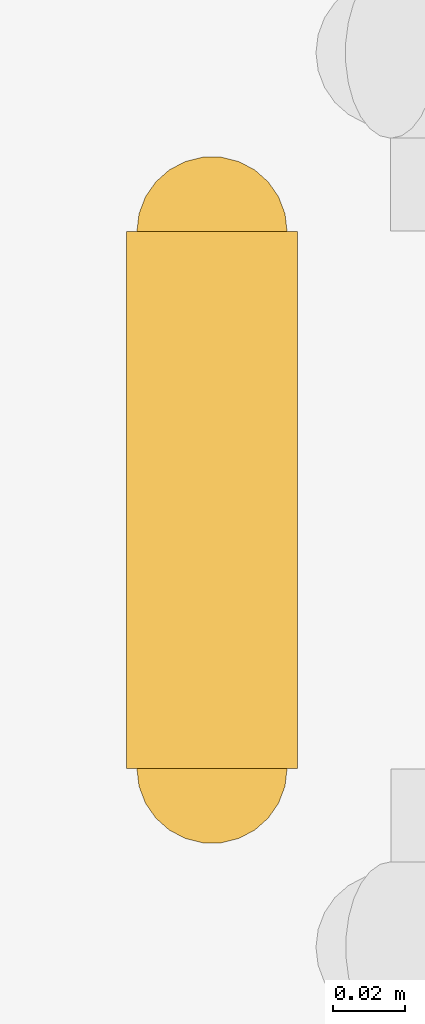
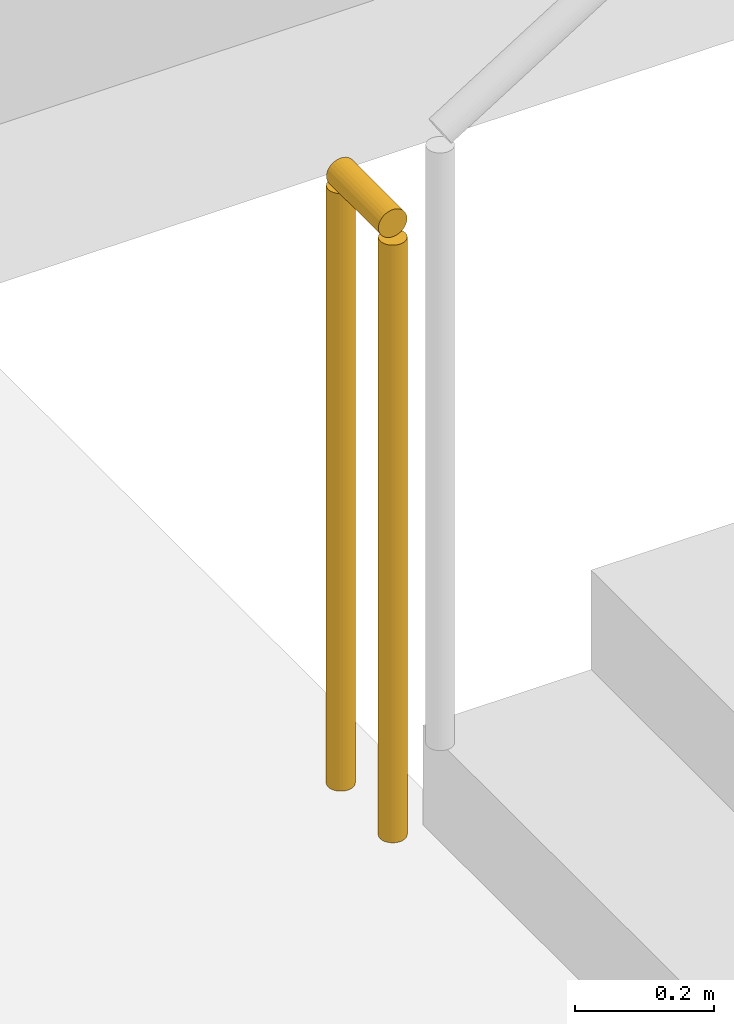
# One storey, part 42 of 47: 1 railing.
"""IFC4 building model written with IfcOpenShell, lengths in metres."""

from ifc_helpers import new_model, si_unit, direction, frame, origin, origin_2d, place, context, subcontext, project, spatial, circle, extrude, material, type_object, element, save


model = new_model("IFC4")

# Units and contexts
model_context = context("Model", 3, precision=1e-05, world=origin(), true_north=direction((0.0, 1.0)))
body_context = subcontext(model_context, "Body", "Model", "MODEL_VIEW")
ifc_project = project(units=[si_unit("LENGTHUNIT", "METRE"), si_unit("AREAUNIT", "SQUARE_METRE"), si_unit("VOLUMEUNIT", "CUBIC_METRE"), si_unit("PLANEANGLEUNIT", "RADIAN"), si_unit("MASSUNIT", "GRAM", prefix="KILO")], contexts=[model_context])

# Site, building, storey
site_placement = place(None, origin())
site = spatial("IfcSite", under=ifc_project, at=site_placement, CompositionType="ELEMENT")
building_placement = place(site_placement, origin())
building = spatial("IfcBuilding", under=site, at=building_placement, Name="Qorvath Tower", CompositionType="ELEMENT")
storey_placement = place(building_placement, frame((0.0, 0.0, 82.800048828125)))
storey = spatial("IfcBuildingStorey", under=building, at=storey_placement, Name="L18", CompositionType="ELEMENT", Elevation=82.800048828125)

# Railing
ifc_material = material(Name="Painted galvanised steel", Category="steel")
railing_type = type_object("IfcRailingType", Name="RL-STR-GRD", PredefinedType="GUARDRAIL", material=ifc_material)
railing_placement = place(storey_placement, frame((-22.719970703125, -6.52001953125, 0.0)))
element("IfcRailing", 1, at=railing_placement, inside=storey, type_object=railing_type, Name="L18 TS2 stair guard 4", PredefinedType="GUARDRAIL", context=body_context, shape_type="SweptSolid", body=[
    extrude(circle(Radius=0.02392578125, at=origin_2d()), frame((0.0, 0.0, 1.076171875), z_axis=(0.0, 1.0, 0.0), x_axis=(-1.0, 0.0, 0.0)), (0.0, 0.0, 1.0), 0.14990234375),
    extrude(circle(Radius=0.02099609375, at=origin_2d()), origin(), (0.0, 0.0, 1.0), 1.052001953125),
    extrude(circle(Radius=0.02099609375, at=origin_2d()), frame((0.0, 0.14990234375, 0.0)), (0.0, 0.0, 1.0), 1.052001953125),
])

save(model, "model.ifc")
